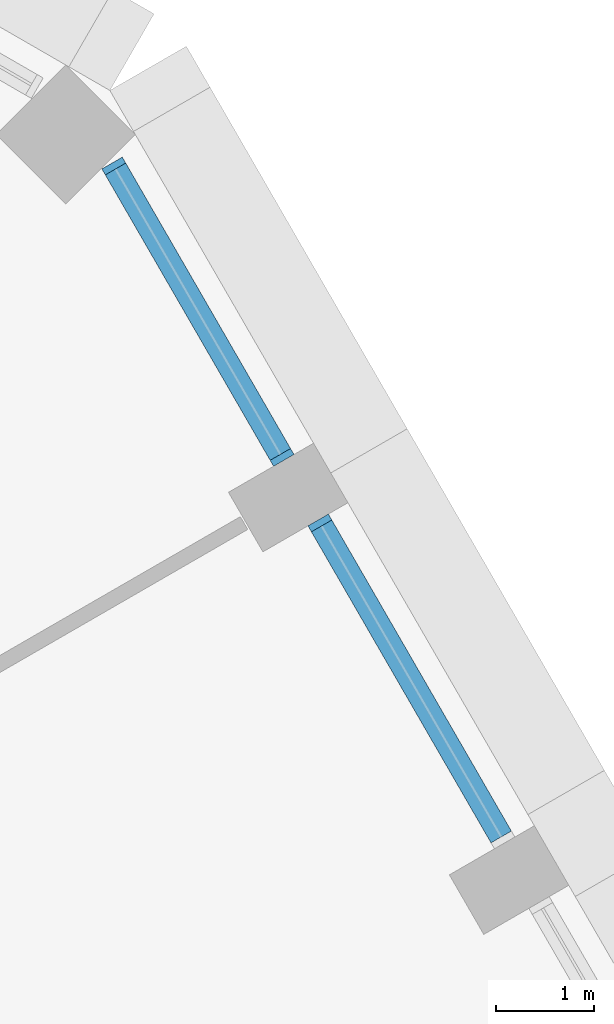
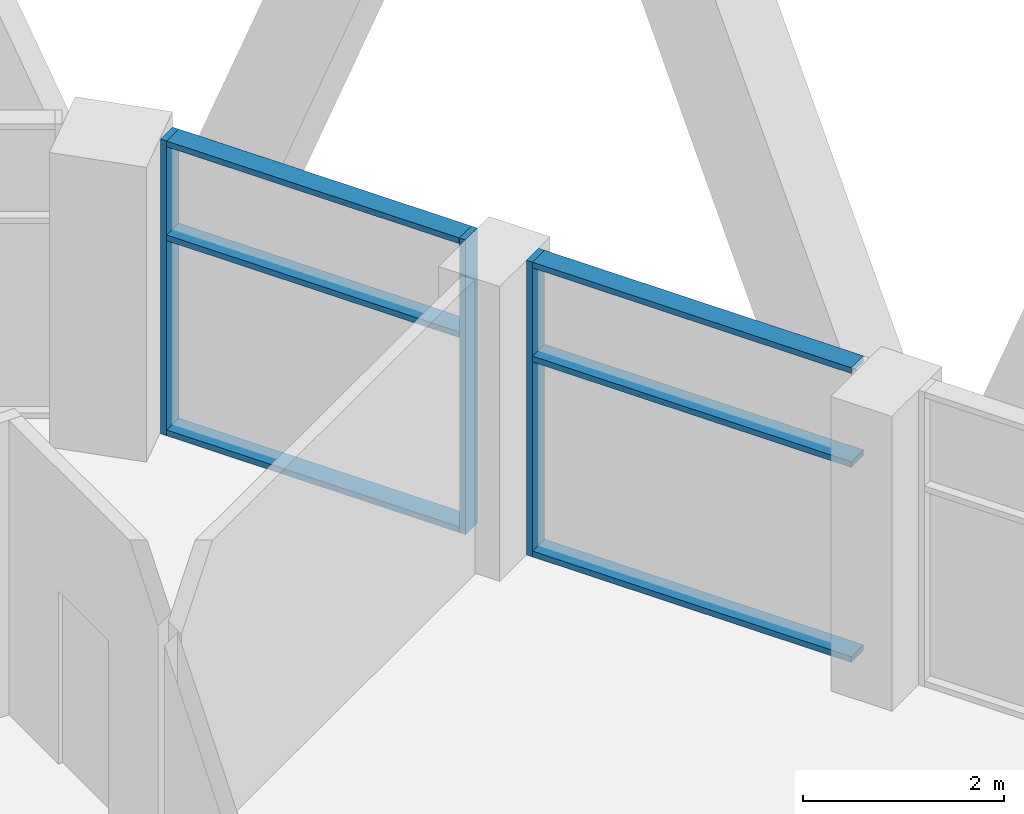
# One storey, part 6 of 20: 9 members, 2 elements without a shape of their own.
"""IFC4 building model written with IfcOpenShell, lengths in metres."""

import ifcopenshell
import ifcopenshell.guid

model = None  # the IFC model being written
_history = None  # IfcOwnerHistory: only IFC2X3 demands one
_inside = {}  # id of a spatial element -> (the spatial element, [elements in it])
_under = {}  # id of a project, library or spatial element -> (it, [spatial elements below it])
_declared = {}  # id of a project -> (the project, [libraries it declares])
_typed = {}  # id of a type object -> (the type object, [elements of that type])
_made_of = {}  # id of a material, layer set ... -> (it, [elements and type objects made of it])


def new_model(schema):
    """Start an empty IFC model of exactly this schema.

    Asked for "IFC4X3", IfcOpenShell would pick the latest addendum, in which some entities
    have other attributes; the version numbers below select the first issue.
    IFC2X3 requires an IfcOwnerHistory on every rooted entity: one is made here for all.
    """
    global model, _history
    if schema == "IFC4X3":
        model = ifcopenshell.file(schema_version=(4, 3, 0, 0))
    else:
        model = ifcopenshell.file(schema=schema)
    _inside.clear()
    _under.clear()
    _declared.clear()
    _typed.clear()
    _made_of.clear()
    _history = None
    if model.schema == "IFC2X3":
        org = make("IfcOrganization", Name="unknown")
        user = make(
            "IfcPersonAndOrganization",
            ThePerson=make("IfcPerson", FamilyName="unknown"),
            TheOrganization=org,
        )
        app = make(
            "IfcApplication",
            ApplicationDeveloper=org,
            Version="unknown",
            ApplicationFullName="unknown",
            ApplicationIdentifier="unknown",
        )
        _history = make(
            "IfcOwnerHistory",
            OwningUser=user,
            OwningApplication=app,
            ChangeAction="ADDED",
            CreationDate=0,
        )
    return model


def make(cls, **values):
    """One entity of the class cls with the attributes given. An attribute that is None is left unset."""
    return model.create_entity(
        cls, **{name: value for name, value in values.items() if value is not None}
    )


def rooted(cls, **values):
    """An entity with a GlobalId (a new one), such as an element, a storey or a relation."""
    return make(cls, GlobalId=ifcopenshell.guid.new(), OwnerHistory=_history, **values)


def si_unit(unit_type, name, prefix=None):
    """IfcSIUnit, for example si_unit("LENGTHUNIT", "METRE", prefix="MILLI")."""
    return make("IfcSIUnit", UnitType=unit_type, Prefix=prefix, Name=name)


def assignment(units):
    """IfcUnitAssignment: the units of a project."""
    return None if units is None else make("IfcUnitAssignment", Units=units)


def point(xyz):
    """IfcCartesianPoint."""
    return None if xyz is None else make("IfcCartesianPoint", Coordinates=xyz)


def direction(xyz):
    """IfcDirection."""
    return None if xyz is None else make("IfcDirection", DirectionRatios=xyz)


def frame(location, z_axis=None, x_axis=None):
    """IfcAxis2Placement3D, a coordinate frame: its origin and axes. An axis left out is left unset."""
    return make(
        "IfcAxis2Placement3D",
        Location=point(location),
        Axis=direction(z_axis),
        RefDirection=direction(x_axis),
    )


def frame_2d(location, x_axis=None):
    """IfcAxis2Placement2D, a coordinate frame in the plane: its origin and x axis."""
    return make(
        "IfcAxis2Placement2D", Location=point(location), RefDirection=direction(x_axis)
    )


def origin():
    """The frame at (0, 0, 0) with its axes left unset."""
    return frame((0.0, 0.0, 0.0))


def origin_2d():
    """The frame at (0, 0) in the plane with its x axis left unset."""
    return frame_2d((0.0, 0.0))


def place(relative_to, where):
    """IfcLocalPlacement: puts the frame where relative to a parent placement (None: the world)."""
    return make(
        "IfcLocalPlacement", PlacementRelTo=relative_to, RelativePlacement=where
    )


def context(
    kind, dimensions, precision=None, world=None, true_north=None, identifier=None
):
    """IfcGeometricRepresentationContext, for example the 3D "Model" context."""
    return make(
        "IfcGeometricRepresentationContext",
        ContextIdentifier=identifier,
        ContextType=kind,
        CoordinateSpaceDimension=dimensions,
        Precision=precision,
        WorldCoordinateSystem=world,
        TrueNorth=true_north,
    )


def subcontext(parent, identifier, kind, view, scale=None):
    """IfcGeometricRepresentationSubContext, for example "Body" below "Model"."""
    return make(
        "IfcGeometricRepresentationSubContext",
        ContextIdentifier=identifier,
        ContextType=kind,
        ParentContext=parent,
        TargetScale=scale,
        TargetView=view,
    )


def project(units=None, contexts=None):
    """IfcProject with its units and contexts."""
    return rooted(
        "IfcProject",
        Name="project",
        RepresentationContexts=contexts,
        UnitsInContext=assignment(units),
    )


def spatial(cls, under=None, at=None, **own):
    """A site, building, storey or space (cls), placed at a placement, below another one or the project."""
    s = rooted(cls, ObjectPlacement=at, **own)
    if under is not None:
        _under.setdefault(under.id(), (under, []))[1].append(s)
    return s


def profile(cls, at=None, kind="AREA", **sizes):
    """A parametric profile (cls). Its sizes go by their IFC names, for example OverallWidth=200.0."""
    return make(cls, ProfileType=kind, Position=at, **sizes)


def rectangle(**sizes):
    """IfcRectangleProfileDef."""
    return profile("IfcRectangleProfileDef", **sizes)


def extrude(swept, where, along, depth):
    """IfcExtrudedAreaSolid: the profile swept, set in the frame where, extruded along a direction by depth."""
    return make(
        "IfcExtrudedAreaSolid",
        SweptArea=swept,
        Position=where,
        ExtrudedDirection=direction(along),
        Depth=depth,
    )


def shape(context_of_items, identifier, shape_type, items):
    """IfcShapeRepresentation: the items that make up one representation, for example the "Body"."""
    return make(
        "IfcShapeRepresentation",
        ContextOfItems=context_of_items,
        RepresentationIdentifier=identifier,
        RepresentationType=shape_type,
        Items=items,
    )


def material(Name=None, Category=None):
    """IfcMaterial."""
    return make("IfcMaterial", Name=Name, Category=Category)


def layer(
    of_material, thickness, ventilated=None, Name=None, Category=None, Priority=None
):
    """IfcMaterialLayer: one layer of a wall or slab, of a material (None: an air gap)."""
    return make(
        "IfcMaterialLayer",
        Material=of_material,
        LayerThickness=thickness,
        IsVentilated=ventilated,
        Name=Name,
        Category=Category,
        Priority=Priority,
    )


def layer_set(layers, Name=None):
    """IfcMaterialLayerSet."""
    return make("IfcMaterialLayerSet", MaterialLayers=layers, LayerSetName=Name)


def material_profile(
    of_material, cross_section, Name=None, Category=None, Priority=None
):
    """IfcMaterialProfile: a cross section and its material."""
    return make(
        "IfcMaterialProfile",
        Name=Name,
        Material=of_material,
        Profile=cross_section,
        Priority=Priority,
        Category=Category,
    )


def profile_set(profiles, Name=None, composite=None):
    """IfcMaterialProfileSet."""
    return make(
        "IfcMaterialProfileSet",
        Name=Name,
        MaterialProfiles=profiles,
        CompositeProfile=composite,
    )


def made_of(thing, what):
    """Note that an element or type object is made of a material, layer set ...; save() writes the relation."""
    if what is not None:
        _made_of.setdefault(what.id(), (what, []))[1].append(thing)
    return thing


def type_object(cls, material=None, **own):
    """A type object (cls), such as IfcWallType, which elements share."""
    return made_of(rooted(cls, **own), material)


def element(
    cls,
    number,
    at=None,
    inside=None,
    cuts=None,
    type_object=None,
    material=None,
    context=None,
    identifier="Body",
    shape_type=None,
    held_by="IfcProductDefinitionShape",
    body=None,
    shapes=None,
    **own,
):
    """One element of the class cls, such as IfcWall. Its Tag is "e" and its number.

    at: its placement. inside: the storey or other place that contains it. cuts: it is an
    opening in that element (IfcRelVoidsElement). A single representation is given by context,
    identifier, shape_type and body (its items); several are given by shapes. held_by: the class
    of the entity that holds the representations. save() writes the other relations.
    """
    e = rooted(cls, Tag="e%d" % number, ObjectPlacement=at, **own)
    if body is not None:
        shapes = [shape(context, identifier, shape_type, body)]
    if shapes is not None:
        e.Representation = make(held_by, Representations=shapes)
    if inside is not None:
        _inside.setdefault(inside.id(), (inside, []))[1].append(e)
    if cuts is not None:
        rooted(
            "IfcRelVoidsElement", RelatingBuildingElement=cuts, RelatedOpeningElement=e
        )
    if type_object is not None:
        _typed.setdefault(type_object.id(), (type_object, []))[1].append(e)
    return made_of(e, material)


def aggregate(whole, parts):
    """IfcRelAggregates: a whole, such as a stair, and the parts it consists of."""
    return rooted("IfcRelAggregates", RelatingObject=whole, RelatedObjects=parts)


def save(model, path):
    """Write the relations noted so far, then the file.

    IfcRelAggregates (storeys below a building ...), IfcRelContainedInSpatialStructure (elements
    in a storey), IfcRelDefinesByType, IfcRelAssociatesMaterial and IfcRelDeclares: one each for
    every whole, place, type object, material and project.
    """
    for whole, parts in _under.values():
        aggregate(whole, parts)
    for where, things in _inside.values():
        rooted(
            "IfcRelContainedInSpatialStructure",
            RelatedElements=things,
            RelatingStructure=where,
        )
    for kind, things in _typed.values():
        rooted("IfcRelDefinesByType", RelatedObjects=things, RelatingType=kind)
    for what, things in _made_of.values():
        rooted("IfcRelAssociatesMaterial", RelatedObjects=things, RelatingMaterial=what)
    for by, libraries in _declared.values():
        rooted("IfcRelDeclares", RelatingContext=by, RelatedDefinitions=libraries)
    model.write(path)


model = new_model("IFC4")

# Units and contexts
model_context = context("Model", 3, precision=1e-05, world=origin(), true_north=direction((0.0, 1.0)))
body_context = subcontext(model_context, "Body", "Model", "MODEL_VIEW")
ifc_project = project(units=[si_unit("LENGTHUNIT", "METRE"), si_unit("AREAUNIT", "SQUARE_METRE"), si_unit("VOLUMEUNIT", "CUBIC_METRE"), si_unit("PLANEANGLEUNIT", "RADIAN"), si_unit("MASSUNIT", "GRAM", prefix="KILO")], contexts=[model_context])

# Site, building, storey
site_placement = place(None, origin())
site = spatial("IfcSite", under=ifc_project, at=site_placement, CompositionType="ELEMENT")
building_placement = place(site_placement, origin())
building = spatial("IfcBuilding", under=site, at=building_placement, Name="Dhurran Vertical Campus", CompositionType="ELEMENT")
storey_placement = place(building_placement, frame((0.0, 0.0, 235.199951171875)))
storey = spatial("IfcBuildingStorey", under=building, at=storey_placement, Name="L58", CompositionType="ELEMENT", Elevation=235.199951171875)

# Curtain wall, member
ifc_material_1 = material(Name="Aluminium frame with solar-control glass", Category="aluminium")
ifc_layer = layer(ifc_material_1, 0.25)
ifc_layer_set = layer_set([ifc_layer], Name="Aluminium frame with solar-control glass")
curtain_wall_type = type_object("IfcCurtainWallType", Name="Sky lobby glazing system", PredefinedType="NOTDEFINED", material=ifc_layer_set)
curtain_wall_1_placement = place(storey_placement, origin())
curtain_wall_1 = element("IfcCurtainWall", 1, at=curtain_wall_1_placement, inside=storey, type_object=curtain_wall_type, Name="CW3 L58.15", PredefinedType="NOTDEFINED")
ifc_material_2 = material(Name="Aluminium mullion", Category="aluminium")
ifc_material_profile_1 = material_profile(ifc_material_2, rectangle(XDim=0.239990234375, YDim=0.070068359375, at=origin_2d()), Name="Sky lobby glazing system mullion")
ifc_profile_set_1 = profile_set([ifc_material_profile_1], Name="Aluminium mullion")
member_type_1 = type_object("IfcMemberType", Name="Sky lobby glazing system mullion", PredefinedType="MULLION", material=ifc_profile_set_1)
member_1_placement = place(storey_placement, frame((21.786865234375, 13.432373046875, 0.0), z_axis=(0.0, 0.0, 1.0), x_axis=(-0.866023396064, -0.500003477457, 0.0)))
member_1 = element("IfcMember", 2, at=member_1_placement, type_object=member_type_1, Name="CW3 mullion 2", PredefinedType="MULLION", context=body_context, shape_type="SweptSolid", body=[
    extrude(rectangle(XDim=0.239990234375, YDim=0.070068359375, at=origin_2d()), origin(), (0.0, 0.0, 1.0), 3.574951171875),
])

# Curtain wall, members
curtain_wall_2_placement = place(storey_placement, origin())
curtain_wall_2 = element("IfcCurtainWall", 3, at=curtain_wall_2_placement, inside=storey, type_object=curtain_wall_type, Name="CW3 L58.16", PredefinedType="NOTDEFINED")
member_2_placement = place(storey_placement, frame((21.4013671875, 14.10009765625, 0.0), z_axis=(0.0, 0.0, 1.0), x_axis=(-0.866019424312, -0.500010356607, 0.0)))
member_2 = element("IfcMember", 4, at=member_2_placement, type_object=member_type_1, Name="CW3 mullion 1", PredefinedType="MULLION", context=body_context, shape_type="SweptSolid", body=[
    extrude(rectangle(XDim=0.239990234375, YDim=0.070068359375, at=origin_2d()), origin(), (0.0, 0.0, 1.0), 3.574951171875),
])
member_3_placement = place(storey_placement, frame((19.6875, 17.068603515625, 0.0), z_axis=(0.0, 0.0, 1.0), x_axis=(-0.866019424312, -0.500010356607, 0.0)))
member_3 = element("IfcMember", 5, at=member_3_placement, type_object=member_type_1, Name="CW3 mullion 2", PredefinedType="MULLION", context=body_context, shape_type="SweptSolid", body=[
    extrude(rectangle(XDim=0.239990234375, YDim=0.070068359375, at=origin_2d()), origin(), (0.0, 0.0, 1.0), 3.574951171875),
])

# Member
ifc_material_3 = material(Name="Aluminium transom", Category="aluminium")
ifc_material_profile_2 = material_profile(ifc_material_3, rectangle(XDim=0.239990234375, YDim=0.070068359375, at=origin_2d()), Name="Sky lobby glazing system transom")
ifc_profile_set_2 = profile_set([ifc_material_profile_2], Name="Aluminium transom")
member_type_2 = type_object("IfcMemberType", Name="Sky lobby glazing system transom", PredefinedType="USERDEFINED", material=ifc_profile_set_2)
member_4_placement = place(storey_placement, frame((23.6337890625, 10.2333984375, 0.03515625), z_axis=(-0.500028567022, 0.866008909978, 0.0), x_axis=(-0.866008909978, -0.500028567022, 0.0)))
member_4 = element("IfcMember", 6, at=member_4_placement, type_object=member_type_2, Name="CW3 transom 1.1", ObjectType="TRANSOM", PredefinedType="USERDEFINED", context=body_context, shape_type="SweptSolid", body=[
    extrude(rectangle(XDim=0.239990234375, YDim=0.070068359375, at=origin_2d()), origin(), (0.0, 0.0, 1.0), 3.658935546875),
])

member_5_placement = place(storey_placement, frame((23.6337890625, 10.2333984375, 2.400146484375), z_axis=(-0.500028567022, 0.866008909978, 0.0), x_axis=(-0.866008909978, -0.500028567022, 0.0)))
member_5 = element("IfcMember", 7, at=member_5_placement, type_object=member_type_2, Name="CW3 transom 1.2", ObjectType="TRANSOM", PredefinedType="USERDEFINED", context=body_context, shape_type="SweptSolid", body=[
    extrude(rectangle(XDim=0.239990234375, YDim=0.070068359375, at=origin_2d()), origin(), (0.0, 0.0, 1.0), 3.658935546875),
])

member_6_placement = place(storey_placement, frame((23.6337890625, 10.2333984375, 3.5400390625), z_axis=(-0.500028567022, 0.866008909978, 0.0), x_axis=(-0.866008909978, -0.500028567022, 0.0)))
member_6 = element("IfcMember", 8, at=member_6_placement, type_object=member_type_2, Name="CW3 transom 1.3", ObjectType="TRANSOM", PredefinedType="USERDEFINED", context=body_context, shape_type="SweptSolid", body=[
    extrude(rectangle(XDim=0.239990234375, YDim=0.070068359375, at=origin_2d()), origin(), (0.0, 0.0, 1.0), 3.658935546875),
])

aggregate(curtain_wall_1, [member_1, member_4, member_5, member_6])

member_7_placement = place(storey_placement, frame((21.3837890625, 14.130615234375, 0.03515625), z_axis=(-0.500041352309, 0.866001527701, 0.0), x_axis=(-0.866001527701, -0.500041352309, 0.0)))
member_7 = element("IfcMember", 9, at=member_7_placement, type_object=member_type_2, Name="CW3 transom 1.1", ObjectType="TRANSOM", PredefinedType="USERDEFINED", context=body_context, shape_type="SweptSolid", body=[
    extrude(rectangle(XDim=0.239990234375, YDim=0.070068359375, at=origin_2d()), origin(), (0.0, 0.0, 1.0), 3.357666015625),
])

member_8_placement = place(storey_placement, frame((21.3837890625, 14.130615234375, 2.400146484375), z_axis=(-0.500041352309, 0.866001527701, 0.0), x_axis=(-0.866001527701, -0.500041352309, 0.0)))
member_8 = element("IfcMember", 10, at=member_8_placement, type_object=member_type_2, Name="CW3 transom 1.2", ObjectType="TRANSOM", PredefinedType="USERDEFINED", context=body_context, shape_type="SweptSolid", body=[
    extrude(rectangle(XDim=0.239990234375, YDim=0.070068359375, at=origin_2d()), origin(), (0.0, 0.0, 1.0), 3.357666015625),
])

member_9_placement = place(storey_placement, frame((21.3837890625, 14.130615234375, 3.5400390625), z_axis=(-0.500041352309, 0.866001527701, 0.0), x_axis=(-0.866001527701, -0.500041352309, 0.0)))
member_9 = element("IfcMember", 11, at=member_9_placement, type_object=member_type_2, Name="CW3 transom 1.3", ObjectType="TRANSOM", PredefinedType="USERDEFINED", context=body_context, shape_type="SweptSolid", body=[
    extrude(rectangle(XDim=0.239990234375, YDim=0.070068359375, at=origin_2d()), origin(), (0.0, 0.0, 1.0), 3.357666015625),
])

aggregate(curtain_wall_2, [member_2, member_3, member_7, member_8, member_9])

save(model, "model.ifc")
